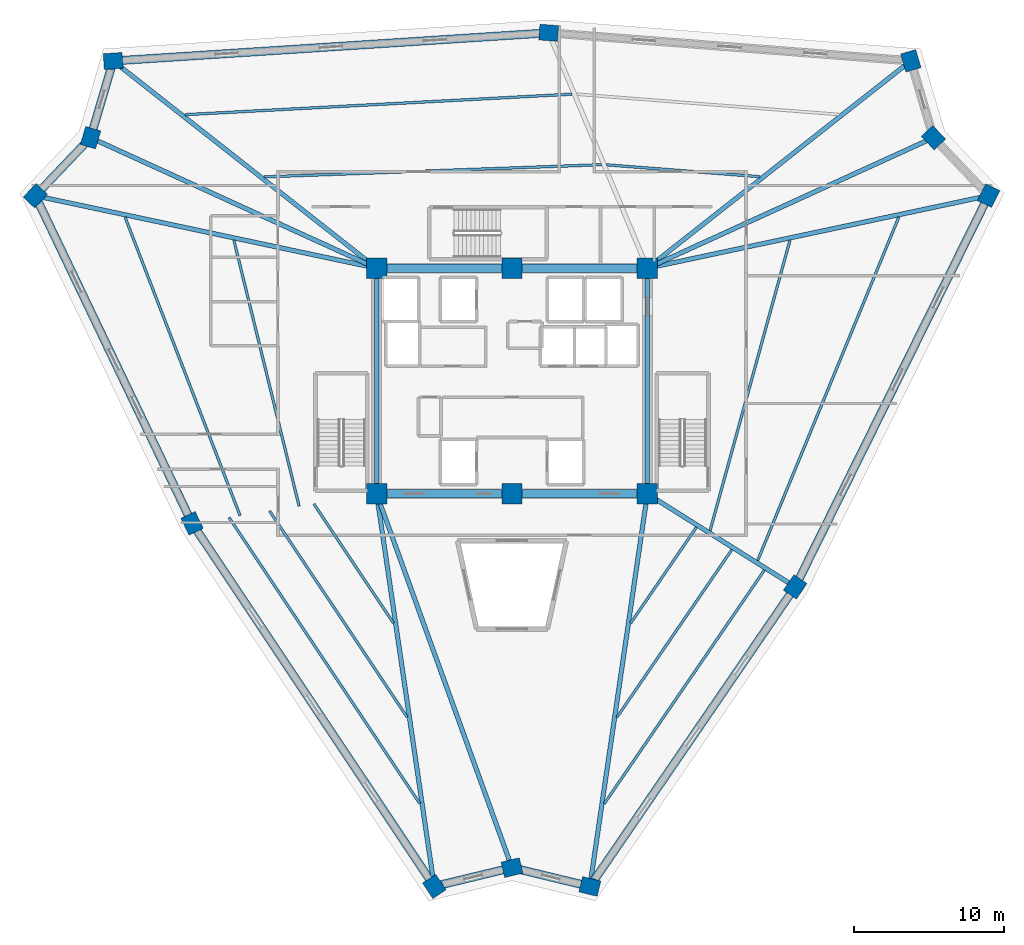
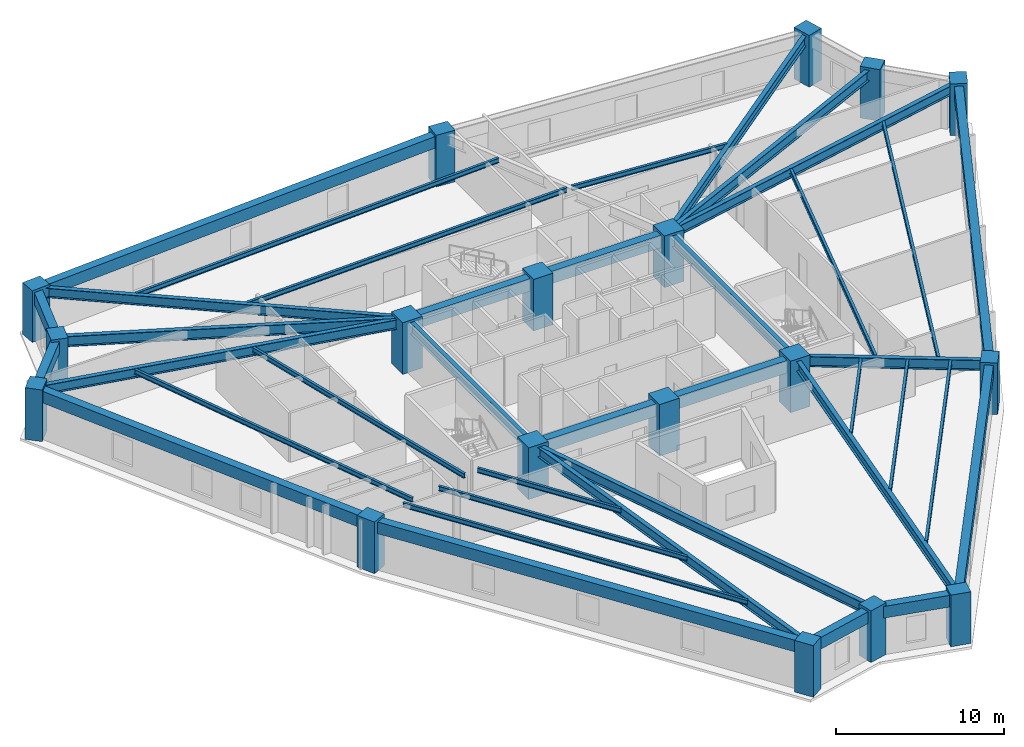
# One storey, part 1 of 8: 38 beams, 18 columns.
"""IFC4 building model written with IfcOpenShell, lengths in metres."""

from ifc_helpers import new_model, si_unit, direction, frame, origin, origin_2d, place, context, subcontext, project, spatial, rectangle, i_section, extrude, source, transform, mapped, material, material_profile, profile_set, type_object, element, save


model = new_model("IFC4")

# Units and contexts
model_context = context("Model", 3, precision=1e-05, world=origin(), true_north=direction((0.0, 1.0)))
body_context = subcontext(model_context, "Body", "Model", "MODEL_VIEW")
ifc_project = project(units=[si_unit("LENGTHUNIT", "METRE"), si_unit("AREAUNIT", "SQUARE_METRE"), si_unit("VOLUMEUNIT", "CUBIC_METRE"), si_unit("PLANEANGLEUNIT", "RADIAN"), si_unit("MASSUNIT", "GRAM", prefix="KILO")], contexts=[model_context])

# Site, building, storey
site_placement = place(None, origin())
site = spatial("IfcSite", under=ifc_project, at=site_placement, CompositionType="ELEMENT")
building_placement = place(site_placement, origin())
building = spatial("IfcBuilding", under=site, at=building_placement, Name="Liaohun Quay Tower", CompositionType="ELEMENT")
storey_placement = place(building_placement, frame((0.0, 0.0, 262.5)))
storey = spatial("IfcBuildingStorey", under=building, at=storey_placement, Name="L68", CompositionType="ELEMENT", Elevation=262.5)

# Columns
ifc_material_1 = material(Name="Concrete C55", Category="concrete")
ifc_material_profile_1 = material_profile(ifc_material_1, rectangle(XDim=1.35009765625, YDim=1.35009765625, at=origin_2d()), Name="RC1350x1350")
ifc_profile_set_1 = profile_set([ifc_material_profile_1], Name="Concrete C55")
column_type_1 = type_object("IfcColumnType", Name="COL-CC-Z3", PredefinedType="COLUMN", material=ifc_profile_set_1)
shared_shape_1 = source(origin(), body_context, "Body", "SweptSolid", [
    extrude(rectangle(XDim=1.35009765625, YDim=1.35009765625, at=origin_2d()), origin(), (0.0, 0.0, 1.0), 3.75),
])
for number, where, z_axis, x_axis, name in (
    (1, (51.0, 46.5, 0.0), (0.0, 0.0, 1.0), (1.0, 0.0, 0.0), "L68 Core Column CC1"),
    (2, (60.0, 46.5, 0.0), (0.0, 0.0, 1.0), (1.0, 0.0, 0.0), "L68 Core Column CC2"),
    (3, (69.0, 46.5, 0.0), (0.0, 0.0, 1.0), (1.0, 0.0, 0.0), "L68 Core Column CC3"),
    (4, (69.0, 61.5, 0.0), (0.0, 0.0, 1.0), (1.0, 0.0, 0.0), "L68 Core Column CC4"),
    (5, (60.0, 61.5, 0.0), (0.0, 0.0, 1.0), (1.0, 0.0, 0.0), "L68 Core Column CC5"),
    (6, (51.0, 61.5, 0.0), (0.0, 0.0, 1.0), (1.0, 0.0, 0.0), "L68 Core Column CC6"),
):
    element("IfcColumn", number, at=place(storey_placement, frame(where, z_axis=z_axis, x_axis=x_axis)), inside=storey, type_object=column_type_1, Name=name, PredefinedType="COLUMN", context=body_context, shape_type="MappedRepresentation", body=[
        mapped(shared_shape_1, transform((0.0, 0.0, 0.0), x_axis=(1.0, 0.0, 0.0), y_axis=(0.0, 1.0, 0.0), z_axis=(0.0, 0.0, 1.0), scale=1.0)),
    ])
ifc_material_profile_2 = material_profile(ifc_material_1, rectangle(XDim=1.25, YDim=1.050048828125, at=origin_2d()), Name="RC1250x1050")
ifc_profile_set_2 = profile_set([ifc_material_profile_2], Name="Concrete C55")
column_type_2 = type_object("IfcColumnType", Name="COL-PIER-Z3", PredefinedType="COLUMN", material=ifc_profile_set_2)
shared_shape_2 = source(origin(), body_context, "Body", "SweptSolid", [
    extrude(rectangle(XDim=1.25, YDim=1.050048828125, at=origin_2d()), origin(), (0.0, 0.0, 1.0), 3.75),
])
for number, where, z_axis, x_axis, name in (
    (7, (54.8310546875, 20.40087890625, 0.0), (0.0, 0.0, 1.0), (-0.554844427448, 0.83195412213, 0.0), "L68 Perimeter Pier PC01"),
    (8, (38.73388671875, 44.5380859375, 0.0), (0.0, 0.0, 1.0), (-0.431613491188, 0.902058642343, 0.0), "L68 Perimeter Pier PC02"),
    (9, (28.31201171875, 66.31689453125, 0.0), (0.0, 0.0, 1.0), (0.68936671806, 0.724412539946, 0.0), "L68 Perimeter Pier PC03"),
    (10, (31.98291015625, 70.176025390625, 0.0), (0.0, 0.0, 1.0), (0.282676303383, 0.959215360337, 0.0), "L68 Perimeter Pier PC04"),
    (11, (33.486083984375, 75.27587890625, 0.0), (0.0, 0.0, 1.0), (0.997915618272, 0.064532308253, 0.0), "L68 Perimeter Pier PC05"),
    (12, (62.43896484375, 77.14794921875, 0.0), (0.0, 0.0, 1.0), (-0.997012445566, 0.077241073187, 0.0), "L68 Perimeter Pier PC06"),
    (13, (86.510986328125, 75.283935546875, 0.0), (0.0, 0.0, 1.0), (-0.282676303383, 0.959215360337, 0.0), "L68 Perimeter Pier PC07"),
    (14, (88.01708984375, 70.176025390625, 0.0), (0.0, 0.0, 1.0), (-0.68936671806, 0.724412539946, 0.0), "L68 Perimeter Pier PC08"),
    (15, (91.68310546875, 66.322998046875, 0.0), (0.0, 0.0, 1.0), (0.443071190824, 0.896486430383, 0.0), "L68 Perimeter Pier PC09"),
    (16, (78.827880859375, 40.31396484375, 0.0), (0.0, 0.0, 1.0), (0.565398954378, 0.824817569156, 0.0), "L68 Perimeter Pier PC10"),
    (17, (65.177001953125, 20.39892578125, 0.0), (0.0, 0.0, 1.0), (-0.972043021443, 0.234802820391, 0.0), "L68 Perimeter Pier PC11"),
    (18, (60.0, 21.64892578125, 0.0), (0.0, 0.0, 1.0), (0.972043021443, 0.234802820391, 0.0), "L68 Perimeter Pier PC12"),
):
    element("IfcColumn", number, at=place(storey_placement, frame(where, z_axis=z_axis, x_axis=x_axis)), inside=storey, type_object=column_type_2, Name=name, PredefinedType="COLUMN", context=body_context, shape_type="MappedRepresentation", body=[
        mapped(shared_shape_2, transform((0.0, 0.0, 0.0), x_axis=(1.0, 0.0, 0.0), y_axis=(0.0, 1.0, 0.0), z_axis=(0.0, 0.0, 1.0), scale=1.0)),
    ])

# Beams
ifc_material_2 = material(Name="Steel Q355D", Category="steel")
ifc_material_profile_3 = material_profile(ifc_material_2, i_section(OverallWidth=0.300048828125, OverallDepth=0.800048828125, WebThickness=0.013916015625, FlangeThickness=0.02587890625, at=origin_2d()), Name="HN800x300x14x26")
ifc_profile_set_3 = profile_set([ifc_material_profile_3], Name="Steel Q355D")
beam_type_1 = type_object("IfcBeamType", Name="BM-RAD-M1", PredefinedType="BEAM", material=ifc_profile_set_3)
shared_shape_3 = source(origin(), body_context, "Body", "SweptSolid", [
    extrude(i_section(OverallWidth=0.300048828125, OverallDepth=0.800048828125, WebThickness=0.013916015625, FlangeThickness=0.02587890625, at=origin_2d()), origin(), (0.0, 0.0, 1.0), 15.0),
])
for number, where, z_axis, x_axis, name in (
    (19, (69.0, 46.5, 3.169921875), (0.0, 1.0, 0.0), (-1.0, 0.0, 0.0), "L68 Core Coupling/Ring Beam CC3-CC4"),
    (20, (51.0, 61.5, 3.169921875), (0.0, -1.0, 0.0), (1.0, 0.0, 0.0), "L68 Core Coupling/Ring Beam CC6-CC1"),
):
    element("IfcBeam", number, at=place(storey_placement, frame(where, z_axis=z_axis, x_axis=x_axis)), inside=storey, type_object=beam_type_1, Name=name, PredefinedType="BEAM", context=body_context, shape_type="MappedRepresentation", body=[
        mapped(shared_shape_3, transform((0.0, 0.0, 0.0), x_axis=(1.0, 0.0, 0.0), y_axis=(0.0, 1.0, 0.0), z_axis=(0.0, 0.0, 1.0), scale=1.0)),
    ])
ifc_material_profile_4 = material_profile(ifc_material_1, rectangle(XDim=0.550048828125, YDim=0.89990234375, at=origin_2d()), Name="RC550x900")
ifc_profile_set_4 = profile_set([ifc_material_profile_4], Name="Concrete C55")
beam_type_2 = type_object("IfcBeamType", Name="BM-CPL-2", PredefinedType="LINTEL", material=ifc_profile_set_4)
shared_shape_4 = source(origin(), body_context, "Body", "SweptSolid", [
    extrude(rectangle(XDim=0.550048828125, YDim=0.89990234375, at=origin_2d()), origin(), (0.0, 0.0, 1.0), 9.0),
])
for number, where, z_axis, x_axis, name in (
    (21, (51.0, 46.5, 3.1201171875), (1.0, 0.0, 0.0), (0.0, 1.0, 0.0), "L68 Core Coupling/Ring Beam CC1-CC2"),
    (22, (60.0, 46.5, 3.1201171875), (1.0, 0.0, 0.0), (0.0, 1.0, 0.0), "L68 Core Coupling/Ring Beam CC2-CC3"),
    (23, (69.0, 61.5, 3.1201171875), (-1.0, 0.0, 0.0), (0.0, -1.0, 0.0), "L68 Core Coupling/Ring Beam CC4-CC5"),
    (24, (60.0, 61.5, 3.1201171875), (-1.0, 0.0, 0.0), (0.0, -1.0, 0.0), "L68 Core Coupling/Ring Beam CC5-CC6"),
):
    element("IfcBeam", number, at=place(storey_placement, frame(where, z_axis=z_axis, x_axis=x_axis)), inside=storey, type_object=beam_type_2, Name=name, PredefinedType="LINTEL", context=body_context, shape_type="MappedRepresentation", body=[
        mapped(shared_shape_4, transform((0.0, 0.0, 0.0), x_axis=(1.0, 0.0, 0.0), y_axis=(0.0, 1.0, 0.0), z_axis=(0.0, 0.0, 1.0), scale=1.0)),
    ])
ifc_material_profile_5 = material_profile(ifc_material_2, i_section(OverallWidth=0.300048828125, OverallDepth=0.699951171875, WebThickness=0.012939453125, FlangeThickness=0.02392578125, at=origin_2d()), Name="HN700x300x13x24")
ifc_profile_set_5 = profile_set([ifc_material_profile_5], Name="Steel Q355D")
beam_type_3 = type_object("IfcBeamType", Name="BM-RAD-U1", PredefinedType="BEAM", material=ifc_profile_set_5)
shared_shape_5 = source(origin(), body_context, "Body", "SweptSolid", [
    extrude(i_section(OverallWidth=0.300048828125, OverallDepth=0.699951171875, WebThickness=0.012939453125, FlangeThickness=0.02392578125, at=origin_2d()), origin(), (0.0, 0.0, 1.0), 26.37890625),
])
beam_1_placement = place(storey_placement, frame((51.0, 46.5, 3.219970703125), z_axis=(0.145232332526, -0.98939757913, 0.0), x_axis=(0.98939757913, 0.145232332526, 0.0)))
element("IfcBeam", 25, at=beam_1_placement, inside=storey, type_object=beam_type_3, Name="L68 Radial Primary Girder CC1-PC01", PredefinedType="BEAM", context=body_context, shape_type="MappedRepresentation", body=[
    mapped(shared_shape_5, transform((0.0, 0.0, 0.0), x_axis=(1.0, 0.0, 0.0), y_axis=(0.0, 1.0, 0.0), z_axis=(0.0, 0.0, 1.0), scale=1.0)),
])
shared_shape_6 = source(origin(), body_context, "Body", "SweptSolid", [
    extrude(i_section(OverallWidth=0.300048828125, OverallDepth=0.699951171875, WebThickness=0.012939453125, FlangeThickness=0.02392578125, at=origin_2d()), origin(), (0.0, 0.0, 1.0), 23.193603515625),
])
beam_2_placement = place(storey_placement, frame((51.0, 61.5, 3.219970703125), z_axis=(-0.978196555276, 0.20768124433, 0.0), x_axis=(-0.20768124433, -0.978196555276, 0.0)))
element("IfcBeam", 26, at=beam_2_placement, inside=storey, type_object=beam_type_3, Name="L68 Radial Primary Girder CC6-PC03", PredefinedType="BEAM", context=body_context, shape_type="MappedRepresentation", body=[
    mapped(shared_shape_6, transform((0.0, 0.0, 0.0), x_axis=(1.0, 0.0, 0.0), y_axis=(0.0, 1.0, 0.0), z_axis=(0.0, 0.0, 1.0), scale=1.0)),
])
ifc_material_profile_6 = material_profile(ifc_material_2, i_section(OverallWidth=0.300048828125, OverallDepth=0.75, WebThickness=0.013916015625, FlangeThickness=0.02587890625, at=origin_2d()), Name="HN750x300x14x26")
ifc_profile_set_6 = profile_set([ifc_material_profile_6], Name="Steel Q355D")
beam_type_4 = type_object("IfcBeamType", Name="BM-RAD-M2", PredefinedType="BEAM", material=ifc_profile_set_6)
shared_shape_7 = source(origin(), body_context, "Body", "SweptSolid", [
    extrude(i_section(OverallWidth=0.300048828125, OverallDepth=0.75, WebThickness=0.013916015625, FlangeThickness=0.02587890625, at=origin_2d()), origin(), (0.0, 0.0, 1.0), 20.902587890625),
])
for number, where, z_axis, x_axis, name in (
    (27, (51.0, 61.5, 3.195068359375), (-0.909790806226, 0.415067089646, 0.0), (-0.415067089646, -0.909790806226, 0.0), "L68 Radial Primary Girder CC6-PC04"),
    (28, (69.0, 61.5, 3.195068359375), (0.909790806226, 0.415067089646, 0.0), (-0.415067089646, 0.909790806226, 0.0), "L68 Radial Primary Girder CC4-PC08"),
):
    element("IfcBeam", number, at=place(storey_placement, frame(where, z_axis=z_axis, x_axis=x_axis)), inside=storey, type_object=beam_type_4, Name=name, PredefinedType="BEAM", context=body_context, shape_type="MappedRepresentation", body=[
        mapped(shared_shape_7, transform((0.0, 0.0, 0.0), x_axis=(1.0, 0.0, 0.0), y_axis=(0.0, 1.0, 0.0), z_axis=(0.0, 0.0, 1.0), scale=1.0)),
    ])
shared_shape_8 = source(origin(), body_context, "Body", "SweptSolid", [
    extrude(i_section(OverallWidth=0.300048828125, OverallDepth=0.699951171875, WebThickness=0.012939453125, FlangeThickness=0.02392578125, at=origin_2d()), origin(), (0.0, 0.0, 1.0), 22.282470703125),
])
beam_3_placement = place(storey_placement, frame((51.0, 61.5, 3.219970703125), z_axis=(-0.785992400738, 0.61823615713, 0.0), x_axis=(-0.61823615713, -0.785992400738, 0.0)))
element("IfcBeam", 29, at=beam_3_placement, inside=storey, type_object=beam_type_3, Name="L68 Radial Primary Girder CC6-PC05", PredefinedType="BEAM", context=body_context, shape_type="MappedRepresentation", body=[
    mapped(shared_shape_8, transform((0.0, 0.0, 0.0), x_axis=(1.0, 0.0, 0.0), y_axis=(0.0, 1.0, 0.0), z_axis=(0.0, 0.0, 1.0), scale=1.0)),
])
shared_shape_9 = source(origin(), body_context, "Body", "SweptSolid", [
    extrude(i_section(OverallWidth=0.300048828125, OverallDepth=0.699951171875, WebThickness=0.012939453125, FlangeThickness=0.02392578125, at=origin_2d()), origin(), (0.0, 0.0, 1.0), 22.28515625),
])
beam_4_placement = place(storey_placement, frame((69.0, 61.5, 3.219970703125), z_axis=(0.785766426077, 0.618523341233, 0.0), x_axis=(-0.618523341233, 0.785766426077, 0.0)))
element("IfcBeam", 30, at=beam_4_placement, inside=storey, type_object=beam_type_3, Name="L68 Radial Primary Girder CC4-PC07", PredefinedType="BEAM", context=body_context, shape_type="MappedRepresentation", body=[
    mapped(shared_shape_9, transform((0.0, 0.0, 0.0), x_axis=(1.0, 0.0, 0.0), y_axis=(0.0, 1.0, 0.0), z_axis=(0.0, 0.0, 1.0), scale=1.0)),
])
shared_shape_10 = source(origin(), body_context, "Body", "SweptSolid", [
    extrude(i_section(OverallWidth=0.300048828125, OverallDepth=0.699951171875, WebThickness=0.012939453125, FlangeThickness=0.02392578125, at=origin_2d()), origin(), (0.0, 0.0, 1.0), 23.190185546875),
])
beam_5_placement = place(storey_placement, frame((69.0, 61.5, 3.219970703125), z_axis=(0.97813396069, 0.207975851829, 0.0), x_axis=(-0.207975851829, 0.97813396069, 0.0)))
element("IfcBeam", 31, at=beam_5_placement, inside=storey, type_object=beam_type_3, Name="L68 Radial Primary Girder CC4-PC09", PredefinedType="BEAM", context=body_context, shape_type="MappedRepresentation", body=[
    mapped(shared_shape_10, transform((0.0, 0.0, 0.0), x_axis=(1.0, 0.0, 0.0), y_axis=(0.0, 1.0, 0.0), z_axis=(0.0, 0.0, 1.0), scale=1.0)),
])
shared_shape_11 = source(origin(), body_context, "Body", "SweptSolid", [
    extrude(i_section(OverallWidth=0.300048828125, OverallDepth=0.75, WebThickness=0.013916015625, FlangeThickness=0.02587890625, at=origin_2d()), origin(), (0.0, 0.0, 1.0), 11.61279296875),
])
beam_6_placement = place(storey_placement, frame((69.0, 46.5, 3.195068359375), z_axis=(0.84630620825, -0.532696725988, 0.0), x_axis=(0.532696725988, 0.84630620825, 0.0)))
element("IfcBeam", 32, at=beam_6_placement, inside=storey, type_object=beam_type_4, Name="L68 Radial Primary Girder CC3-PC10", PredefinedType="BEAM", context=body_context, shape_type="MappedRepresentation", body=[
    mapped(shared_shape_11, transform((0.0, 0.0, 0.0), x_axis=(1.0, 0.0, 0.0), y_axis=(0.0, 1.0, 0.0), z_axis=(0.0, 0.0, 1.0), scale=1.0)),
])
shared_shape_12 = source(origin(), body_context, "Body", "SweptSolid", [
    extrude(i_section(OverallWidth=0.300048828125, OverallDepth=0.699951171875, WebThickness=0.012939453125, FlangeThickness=0.02392578125, at=origin_2d()), origin(), (0.0, 0.0, 1.0), 26.379638671875),
])
beam_7_placement = place(storey_placement, frame((69.0, 46.5, 3.219970703125), z_axis=(-0.144922716205, -0.989442977805, 0.0), x_axis=(0.989442977805, -0.144922716205, 0.0)))
element("IfcBeam", 33, at=beam_7_placement, inside=storey, type_object=beam_type_3, Name="L68 Radial Primary Girder CC3-PC11", PredefinedType="BEAM", context=body_context, shape_type="MappedRepresentation", body=[
    mapped(shared_shape_12, transform((0.0, 0.0, 0.0), x_axis=(1.0, 0.0, 0.0), y_axis=(0.0, 1.0, 0.0), z_axis=(0.0, 0.0, 1.0), scale=1.0)),
])
shared_shape_13 = source(origin(), body_context, "Body", "SweptSolid", [
    extrude(i_section(OverallWidth=0.300048828125, OverallDepth=0.75, WebThickness=0.013916015625, FlangeThickness=0.02587890625, at=origin_2d()), origin(), (0.0, 0.0, 1.0), 26.4306640625),
])
beam_8_placement = place(storey_placement, frame((51.0, 46.5, 3.195068359375), z_axis=(0.34051458083, -0.940239235643, 0.0), x_axis=(0.940239235643, 0.34051458083, 0.0)))
element("IfcBeam", 34, at=beam_8_placement, inside=storey, type_object=beam_type_4, Name="L68 Radial Primary Girder CC1-PC12", PredefinedType="BEAM", context=body_context, shape_type="MappedRepresentation", body=[
    mapped(shared_shape_13, transform((0.0, 0.0, 0.0), x_axis=(1.0, 0.0, 0.0), y_axis=(0.0, 1.0, 0.0), z_axis=(0.0, 0.0, 1.0), scale=1.0)),
])
ifc_material_profile_7 = material_profile(ifc_material_2, i_section(OverallWidth=0.175048828125, OverallDepth=0.35009765625, WebThickness=0.007080078125, FlangeThickness=0.010986328125, at=origin_2d()), Name="HN350x175x7x11")
ifc_profile_set_7 = profile_set([ifc_material_profile_7], Name="Steel Q355D")
beam_type_5 = type_object("IfcBeamType", Name="BM-SEC-J3", PredefinedType="JOIST", material=ifc_profile_set_7)
shared_shape_14 = source(origin(), body_context, "Body", "SweptSolid", [
    extrude(i_section(OverallWidth=0.175048828125, OverallDepth=0.35009765625, WebThickness=0.007080078125, FlangeThickness=0.010986328125, at=origin_2d()), origin(), (0.0, 0.0, 1.0), 9.513427734375),
])
beam_9_placement = place(storey_placement, frame((52.10791015625, 37.91796875, 3.39501953125), z_axis=(-0.554783104757, 0.831995016016, 0.0), x_axis=(-0.831995016016, -0.554783104757, 0.0)))
element("IfcBeam", 35, at=beam_9_placement, inside=storey, type_object=beam_type_5, Name="L68 Wing Secondary Floor Joist SJ-01", PredefinedType="JOIST", context=body_context, shape_type="MappedRepresentation", body=[
    mapped(shared_shape_14, transform((0.0, 0.0, 0.0), x_axis=(1.0, 0.0, 0.0), y_axis=(0.0, 1.0, 0.0), z_axis=(0.0, 0.0, 1.0), scale=1.0)),
])
shared_shape_15 = source(origin(), body_context, "Body", "SweptSolid", [
    extrude(i_section(OverallWidth=0.175048828125, OverallDepth=0.35009765625, WebThickness=0.007080078125, FlangeThickness=0.010986328125, at=origin_2d()), origin(), (0.0, 0.0, 1.0), 16.476806640625),
])
beam_10_placement = place(storey_placement, frame((53.028076171875, 31.654052734375, 3.39501953125), z_axis=(-0.554843800547, 0.831954540221, 0.0), x_axis=(-0.831954540221, -0.554843800547, 0.0)))
element("IfcBeam", 36, at=beam_10_placement, inside=storey, type_object=beam_type_5, Name="L68 Wing Secondary Floor Joist SJ-02", PredefinedType="JOIST", context=body_context, shape_type="MappedRepresentation", body=[
    mapped(shared_shape_15, transform((0.0, 0.0, 0.0), x_axis=(1.0, 0.0, 0.0), y_axis=(0.0, 1.0, 0.0), z_axis=(0.0, 0.0, 1.0), scale=1.0)),
])
shared_shape_16 = source(origin(), body_context, "Body", "SweptSolid", [
    extrude(i_section(OverallWidth=0.175048828125, OverallDepth=0.35009765625, WebThickness=0.007080078125, FlangeThickness=0.010986328125, at=origin_2d()), origin(), (0.0, 0.0, 1.0), 22.859130859375),
])
beam_11_placement = place(storey_placement, frame((53.8701171875, 25.912109375, 3.39501953125), z_axis=(-0.554838210092, 0.831958268558, 0.0), x_axis=(-0.831958268558, -0.554838210092, 0.0)))
element("IfcBeam", 37, at=beam_11_placement, inside=storey, type_object=beam_type_5, Name="L68 Wing Secondary Floor Joist SJ-03", PredefinedType="JOIST", context=body_context, shape_type="MappedRepresentation", body=[
    mapped(shared_shape_16, transform((0.0, 0.0, 0.0), x_axis=(1.0, 0.0, 0.0), y_axis=(0.0, 1.0, 0.0), z_axis=(0.0, 0.0, 1.0), scale=1.0)),
])
shared_shape_17 = source(origin(), body_context, "Body", "SweptSolid", [
    extrude(i_section(OverallWidth=0.175048828125, OverallDepth=0.35009765625, WebThickness=0.007080078125, FlangeThickness=0.010986328125, at=origin_2d()), origin(), (0.0, 0.0, 1.0), 18.208984375),
])
beam_12_placement = place(storey_placement, frame((45.847900390625, 45.676025390625, 3.39501953125), z_axis=(-0.238173326631, 0.971222665758, 0.0), x_axis=(-0.971222665758, -0.238173326631, 0.0)))
element("IfcBeam", 38, at=beam_12_placement, inside=storey, type_object=beam_type_5, Name="L68 Wing Secondary Floor Joist SJ-04", PredefinedType="JOIST", context=body_context, shape_type="MappedRepresentation", body=[
    mapped(shared_shape_17, transform((0.0, 0.0, 0.0), x_axis=(1.0, 0.0, 0.0), y_axis=(0.0, 1.0, 0.0), z_axis=(0.0, 0.0, 1.0), scale=1.0)),
])
shared_shape_18 = source(origin(), body_context, "Body", "SweptSolid", [
    extrude(i_section(OverallWidth=0.175048828125, OverallDepth=0.35009765625, WebThickness=0.007080078125, FlangeThickness=0.010986328125, at=origin_2d()), origin(), (0.0, 0.0, 1.0), 21.272216796875),
])
beam_13_placement = place(storey_placement, frame((41.923095703125, 45.048095703125, 3.39501953125), z_axis=(-0.359537361144, 0.933130690708, 0.0), x_axis=(-0.933130690708, -0.359537361144, 0.0)))
element("IfcBeam", 39, at=beam_13_placement, inside=storey, type_object=beam_type_5, Name="L68 Wing Secondary Floor Joist SJ-05", PredefinedType="JOIST", context=body_context, shape_type="MappedRepresentation", body=[
    mapped(shared_shape_18, transform((0.0, 0.0, 0.0), x_axis=(1.0, 0.0, 0.0), y_axis=(0.0, 1.0, 0.0), z_axis=(0.0, 0.0, 1.0), scale=1.0)),
])
shared_shape_19 = source(origin(), body_context, "Body", "SweptSolid", [
    extrude(i_section(OverallWidth=0.175048828125, OverallDepth=0.35009765625, WebThickness=0.007080078125, FlangeThickness=0.010986328125, at=origin_2d()), origin(), (0.0, 0.0, 1.0), 22.441650390625),
])
beam_14_placement = place(storey_placement, frame((43.52587890625, 67.570068359375, 3.39501953125), z_axis=(0.999350278673, 0.036041927186, 0.0), x_axis=(-0.036041927186, 0.999350278673, 0.0)))
element("IfcBeam", 40, at=beam_14_placement, inside=storey, type_object=beam_type_5, Name="L68 Wing Secondary Floor Joist SJ-06", PredefinedType="JOIST", context=body_context, shape_type="MappedRepresentation", body=[
    mapped(shared_shape_19, transform((0.0, 0.0, 0.0), x_axis=(1.0, 0.0, 0.0), y_axis=(0.0, 1.0, 0.0), z_axis=(0.0, 0.0, 1.0), scale=1.0)),
])
shared_shape_20 = source(origin(), body_context, "Body", "SweptSolid", [
    extrude(i_section(OverallWidth=0.175048828125, OverallDepth=0.35009765625, WebThickness=0.007080078125, FlangeThickness=0.010986328125, at=origin_2d()), origin(), (0.0, 0.0, 1.0), 25.755126953125),
])
beam_15_placement = place(storey_placement, frame((38.26708984375, 71.7060546875, 3.39501953125), z_axis=(0.998594584186, 0.052998645595, 0.0), x_axis=(-0.052998645595, 0.998594584186, 0.0)))
element("IfcBeam", 41, at=beam_15_placement, inside=storey, type_object=beam_type_5, Name="L68 Wing Secondary Floor Joist SJ-07", PredefinedType="JOIST", context=body_context, shape_type="MappedRepresentation", body=[
    mapped(shared_shape_20, transform((0.0, 0.0, 0.0), x_axis=(1.0, 0.0, 0.0), y_axis=(0.0, 1.0, 0.0), z_axis=(0.0, 0.0, 1.0), scale=1.0)),
])
shared_shape_21 = source(origin(), body_context, "Body", "SweptSolid", [
    extrude(i_section(OverallWidth=0.175048828125, OverallDepth=0.35009765625, WebThickness=0.007080078125, FlangeThickness=0.010986328125, at=origin_2d()), origin(), (0.0, 0.0, 1.0), 10.2333984375),
])
beam_16_placement = place(storey_placement, frame((66.281005859375, 68.3720703125, 3.39501953125), z_axis=(0.997015484262, -0.077201840278, 0.0), x_axis=(0.077201840278, 0.997015484262, 0.0)))
element("IfcBeam", 42, at=beam_16_placement, inside=storey, type_object=beam_type_5, Name="L68 Wing Secondary Floor Joist SJ-08", PredefinedType="JOIST", context=body_context, shape_type="MappedRepresentation", body=[
    mapped(shared_shape_21, transform((0.0, 0.0, 0.0), x_axis=(1.0, 0.0, 0.0), y_axis=(0.0, 1.0, 0.0), z_axis=(0.0, 0.0, 1.0), scale=1.0)),
])
shared_shape_22 = source(origin(), body_context, "Body", "SweptSolid", [
    extrude(i_section(OverallWidth=0.175048828125, OverallDepth=0.35009765625, WebThickness=0.007080078125, FlangeThickness=0.010986328125, at=origin_2d()), origin(), (0.0, 0.0, 1.0), 20.027587890625),
])
beam_17_placement = place(storey_placement, frame((78.48193359375, 63.363037109375, 3.39501953125), z_axis=(-0.265282845028, -0.964170634345, 0.0), x_axis=(0.964170634345, -0.265282845028, 0.0)))
element("IfcBeam", 43, at=beam_17_placement, inside=storey, type_object=beam_type_5, Name="L68 Wing Secondary Floor Joist SJ-10", PredefinedType="JOIST", context=body_context, shape_type="MappedRepresentation", body=[
    mapped(shared_shape_22, transform((0.0, 0.0, 0.0), x_axis=(1.0, 0.0, 0.0), y_axis=(0.0, 1.0, 0.0), z_axis=(0.0, 0.0, 1.0), scale=1.0)),
])
shared_shape_23 = source(origin(), body_context, "Body", "SweptSolid", [
    extrude(i_section(OverallWidth=0.175048828125, OverallDepth=0.35009765625, WebThickness=0.007080078125, FlangeThickness=0.010986328125, at=origin_2d()), origin(), (0.0, 0.0, 1.0), 24.691162109375),
])
beam_18_placement = place(storey_placement, frame((85.716064453125, 64.90087890625, 3.39501953125), z_axis=(-0.380097728752, -0.924946331739, 0.0), x_axis=(0.924946331739, -0.380097728752, 0.0)))
element("IfcBeam", 44, at=beam_18_placement, inside=storey, type_object=beam_type_5, Name="L68 Wing Secondary Floor Joist SJ-11", PredefinedType="JOIST", context=body_context, shape_type="MappedRepresentation", body=[
    mapped(shared_shape_23, transform((0.0, 0.0, 0.0), x_axis=(1.0, 0.0, 0.0), y_axis=(0.0, 1.0, 0.0), z_axis=(0.0, 0.0, 1.0), scale=1.0)),
])
shared_shape_24 = source(origin(), body_context, "Body", "SweptSolid", [
    extrude(i_section(OverallWidth=0.175048828125, OverallDepth=0.35009765625, WebThickness=0.007080078125, FlangeThickness=0.010986328125, at=origin_2d()), origin(), (0.0, 0.0, 1.0), 7.71826171875),
])
beam_19_placement = place(storey_placement, frame((72.257080078125, 44.27294921875, 3.39501953125), z_axis=(-0.565420774072, -0.824802611688, 0.0), x_axis=(0.824802611688, -0.565420774072, 0.0)))
element("IfcBeam", 45, at=beam_19_placement, inside=storey, type_object=beam_type_5, Name="L68 Wing Secondary Floor Joist SJ-12", PredefinedType="JOIST", context=body_context, shape_type="MappedRepresentation", body=[
    mapped(shared_shape_24, transform((0.0, 0.0, 0.0), x_axis=(1.0, 0.0, 0.0), y_axis=(0.0, 1.0, 0.0), z_axis=(0.0, 0.0, 1.0), scale=1.0)),
])
shared_shape_25 = source(origin(), body_context, "Body", "SweptSolid", [
    extrude(i_section(OverallWidth=0.175048828125, OverallDepth=0.35009765625, WebThickness=0.007080078125, FlangeThickness=0.010986328125, at=origin_2d()), origin(), (0.0, 0.0, 1.0), 13.51220703125),
])
beam_20_placement = place(storey_placement, frame((74.614990234375, 42.7880859375, 3.39501953125), z_axis=(-0.565407209451, -0.824811910378, 0.0), x_axis=(0.824811910378, -0.565407209451, 0.0)))
element("IfcBeam", 46, at=beam_20_placement, inside=storey, type_object=beam_type_5, Name="L68 Wing Secondary Floor Joist SJ-13", PredefinedType="JOIST", context=body_context, shape_type="MappedRepresentation", body=[
    mapped(shared_shape_25, transform((0.0, 0.0, 0.0), x_axis=(1.0, 0.0, 0.0), y_axis=(0.0, 1.0, 0.0), z_axis=(0.0, 0.0, 1.0), scale=1.0)),
])
shared_shape_26 = source(origin(), body_context, "Body", "SweptSolid", [
    extrude(i_section(OverallWidth=0.175048828125, OverallDepth=0.35009765625, WebThickness=0.007080078125, FlangeThickness=0.010986328125, at=origin_2d()), origin(), (0.0, 0.0, 1.0), 18.8251953125),
])
beam_21_placement = place(storey_placement, frame((76.778076171875, 41.427001953125, 3.39501953125), z_axis=(-0.565415943993, -0.824805922795, 0.0), x_axis=(0.824805922795, -0.565415943993, 0.0)))
element("IfcBeam", 47, at=beam_21_placement, inside=storey, type_object=beam_type_5, Name="L68 Wing Secondary Floor Joist SJ-14", PredefinedType="JOIST", context=body_context, shape_type="MappedRepresentation", body=[
    mapped(shared_shape_26, transform((0.0, 0.0, 0.0), x_axis=(1.0, 0.0, 0.0), y_axis=(0.0, 1.0, 0.0), z_axis=(0.0, 0.0, 1.0), scale=1.0)),
])
ifc_material_3 = material(Name="Precast concrete C50", Category="concrete")
ifc_material_profile_8 = material_profile(ifc_material_3, rectangle(XDim=0.550048828125, YDim=0.85009765625, at=origin_2d()), Name="RC550x850")
ifc_profile_set_8 = profile_set([ifc_material_profile_8], Name="Precast concrete C50")
beam_type_6 = type_object("IfcBeamType", Name="BM-SPD-Z3", PredefinedType="SPANDREL", material=ifc_profile_set_8)
shared_shape_27 = source(origin(), body_context, "Body", "SweptSolid", [
    extrude(rectangle(XDim=0.550048828125, YDim=0.85009765625, at=origin_2d()), origin(), (0.0, 0.0, 1.0), 29.012451171875),
])
for number, where, z_axis, x_axis, name in (
    (48, (54.8310546875, 20.40087890625, 3.14501953125), (-0.554836123809, 0.83195965991, 0.0), (-0.83195965991, -0.554836123809, 0.0), "L68 Precast Spandrel Beam PC01-PC02"),
    (49, (91.68310546875, 66.322998046875, 3.14501953125), (-0.443092236936, -0.89647602844, 0.0), (0.89647602844, -0.443092236936, 0.0), "L68 Precast Spandrel Beam PC09-PC10"),
):
    element("IfcBeam", number, at=place(storey_placement, frame(where, z_axis=z_axis, x_axis=x_axis)), inside=storey, type_object=beam_type_6, Name=name, PredefinedType="SPANDREL", context=body_context, shape_type="MappedRepresentation", body=[
        mapped(shared_shape_27, transform((0.0, 0.0, 0.0), x_axis=(1.0, 0.0, 0.0), y_axis=(0.0, 1.0, 0.0), z_axis=(0.0, 0.0, 1.0), scale=1.0)),
    ])
shared_shape_28 = source(origin(), body_context, "Body", "SweptSolid", [
    extrude(rectangle(XDim=0.550048828125, YDim=0.85009765625, at=origin_2d()), origin(), (0.0, 0.0, 1.0), 24.14404296875),
])
beam_22_placement = place(storey_placement, frame((38.73388671875, 44.5380859375, 3.14501953125), z_axis=(-0.431655141553, 0.902038712457, 0.0), x_axis=(-0.902038712457, -0.431655141553, 0.0)))
element("IfcBeam", 50, at=beam_22_placement, inside=storey, type_object=beam_type_6, Name="L68 Precast Spandrel Beam PC02-PC03", PredefinedType="SPANDREL", context=body_context, shape_type="MappedRepresentation", body=[
    mapped(shared_shape_28, transform((0.0, 0.0, 0.0), x_axis=(1.0, 0.0, 0.0), y_axis=(0.0, 1.0, 0.0), z_axis=(0.0, 0.0, 1.0), scale=1.0)),
])
shared_shape_29 = source(origin(), body_context, "Body", "SweptSolid", [
    extrude(rectangle(XDim=0.550048828125, YDim=0.85009765625, at=origin_2d()), origin(), (0.0, 0.0, 1.0), 5.326171875),
])
beam_23_placement = place(storey_placement, frame((28.31201171875, 66.31689453125, 3.14501953125), z_axis=(0.689215526781, 0.724556386794, 0.0), x_axis=(-0.724556386794, 0.689215526781, 0.0)))
element("IfcBeam", 51, at=beam_23_placement, inside=storey, type_object=beam_type_6, Name="L68 Precast Spandrel Beam PC03-PC04", PredefinedType="SPANDREL", context=body_context, shape_type="MappedRepresentation", body=[
    mapped(shared_shape_29, transform((0.0, 0.0, 0.0), x_axis=(1.0, 0.0, 0.0), y_axis=(0.0, 1.0, 0.0), z_axis=(0.0, 0.0, 1.0), scale=1.0)),
])
shared_shape_30 = source(origin(), body_context, "Body", "SweptSolid", [
    extrude(rectangle(XDim=0.550048828125, YDim=0.85009765625, at=origin_2d()), origin(), (0.0, 0.0, 1.0), 5.316650390625),
])
beam_24_placement = place(storey_placement, frame((31.98291015625, 70.176025390625, 3.14501953125), z_axis=(0.282723153755, 0.959201552507, 0.0), x_axis=(-0.959201552507, 0.282723153755, 0.0)))
element("IfcBeam", 52, at=beam_24_placement, inside=storey, type_object=beam_type_6, Name="L68 Precast Spandrel Beam PC04-PC05", PredefinedType="SPANDREL", context=body_context, shape_type="MappedRepresentation", body=[
    mapped(shared_shape_30, transform((0.0, 0.0, 0.0), x_axis=(1.0, 0.0, 0.0), y_axis=(0.0, 1.0, 0.0), z_axis=(0.0, 0.0, 1.0), scale=1.0)),
])
shared_shape_31 = source(origin(), body_context, "Body", "SweptSolid", [
    extrude(rectangle(XDim=0.550048828125, YDim=0.85009765625, at=origin_2d()), origin(), (0.0, 0.0, 1.0), 29.013427734375),
])
beam_25_placement = place(storey_placement, frame((33.486083984375, 75.27587890625, 3.14501953125), z_axis=(0.99791612543, 0.064524465177, 0.0), x_axis=(-0.064524465177, 0.99791612543, 0.0)))
element("IfcBeam", 53, at=beam_25_placement, inside=storey, type_object=beam_type_6, Name="L68 Precast Spandrel Beam PC05-PC06", PredefinedType="SPANDREL", context=body_context, shape_type="MappedRepresentation", body=[
    mapped(shared_shape_31, transform((0.0, 0.0, 0.0), x_axis=(1.0, 0.0, 0.0), y_axis=(0.0, 1.0, 0.0), z_axis=(0.0, 0.0, 1.0), scale=1.0)),
])
shared_shape_32 = source(origin(), body_context, "Body", "SweptSolid", [
    extrude(rectangle(XDim=0.550048828125, YDim=0.85009765625, at=origin_2d()), origin(), (0.0, 0.0, 1.0), 24.14453125),
])
beam_26_placement = place(storey_placement, frame((78.827880859375, 40.31396484375, 3.14501953125), z_axis=(-0.565383325063, -0.824828282578, 0.0), x_axis=(0.824828282578, -0.565383325063, 0.0)))
element("IfcBeam", 54, at=beam_26_placement, inside=storey, type_object=beam_type_6, Name="L68 Precast Spandrel Beam PC10-PC11", PredefinedType="SPANDREL", context=body_context, shape_type="MappedRepresentation", body=[
    mapped(shared_shape_32, transform((0.0, 0.0, 0.0), x_axis=(1.0, 0.0, 0.0), y_axis=(0.0, 1.0, 0.0), z_axis=(0.0, 0.0, 1.0), scale=1.0)),
])
shared_shape_33 = source(origin(), body_context, "Body", "SweptSolid", [
    extrude(rectangle(XDim=0.550048828125, YDim=0.85009765625, at=origin_2d()), origin(), (0.0, 0.0, 1.0), 5.32568359375),
])
beam_27_placement = place(storey_placement, frame((65.177001953125, 20.39892578125, 3.14501953125), z_axis=(-0.972065981499, 0.234707749365, 0.0), x_axis=(-0.234707749365, -0.972065981499, 0.0)))
element("IfcBeam", 55, at=beam_27_placement, inside=storey, type_object=beam_type_6, Name="L68 Precast Spandrel Beam PC11-PC12", PredefinedType="SPANDREL", context=body_context, shape_type="MappedRepresentation", body=[
    mapped(shared_shape_33, transform((0.0, 0.0, 0.0), x_axis=(1.0, 0.0, 0.0), y_axis=(0.0, 1.0, 0.0), z_axis=(0.0, 0.0, 1.0), scale=1.0)),
])
shared_shape_34 = source(origin(), body_context, "Body", "SweptSolid", [
    extrude(rectangle(XDim=0.550048828125, YDim=0.85009765625, at=origin_2d()), origin(), (0.0, 0.0, 1.0), 5.3173828125),
])
beam_28_placement = place(storey_placement, frame((60.0, 21.64892578125, 3.14501953125), z_axis=(-0.972066317412, -0.234706358143, 0.0), x_axis=(0.234706358143, -0.972066317412, 0.0)))
element("IfcBeam", 56, at=beam_28_placement, inside=storey, type_object=beam_type_6, Name="L68 Precast Spandrel Beam PC12-PC01", PredefinedType="SPANDREL", context=body_context, shape_type="MappedRepresentation", body=[
    mapped(shared_shape_34, transform((0.0, 0.0, 0.0), x_axis=(1.0, 0.0, 0.0), y_axis=(0.0, 1.0, 0.0), z_axis=(0.0, 0.0, 1.0), scale=1.0)),
])

save(model, "model.ifc")
